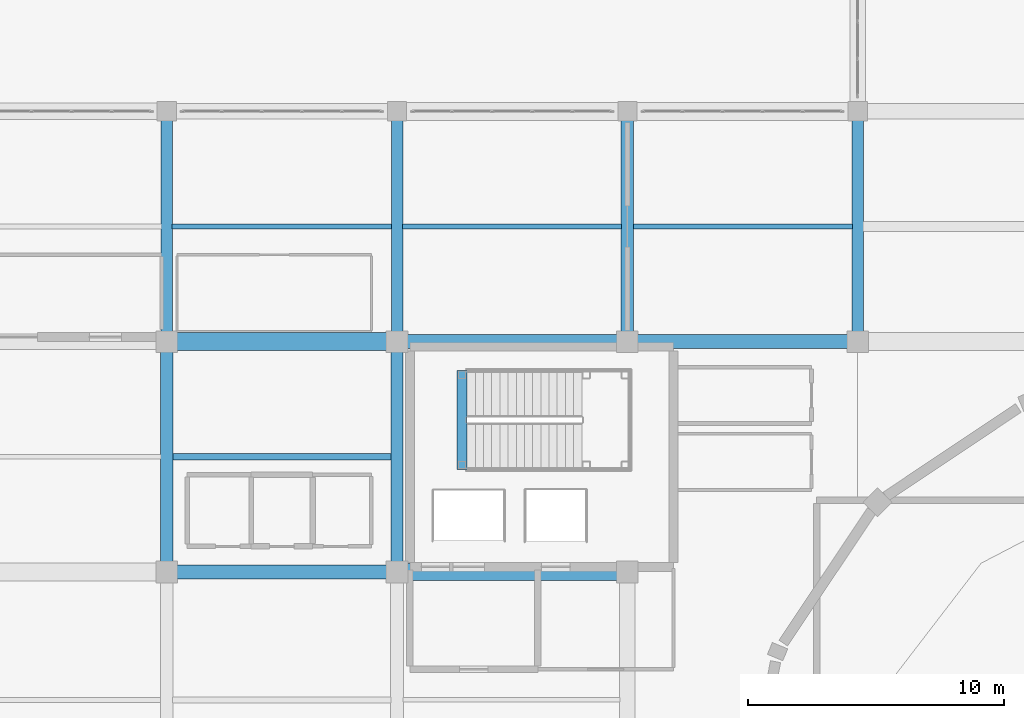
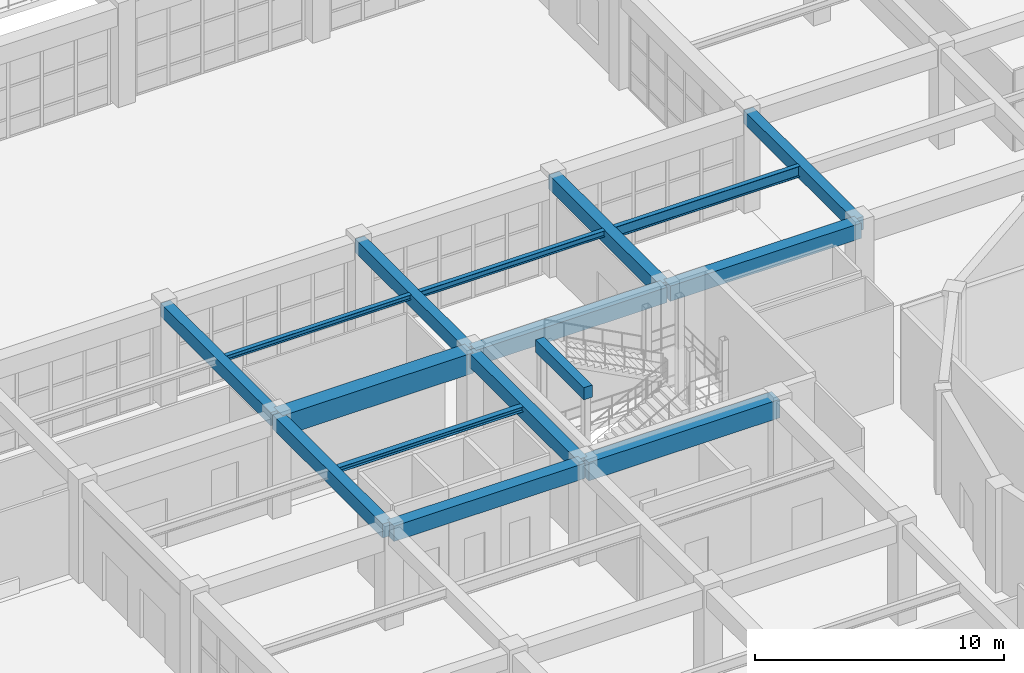
# One storey, part 55 of 128: 16 beams.
"""IFC4 building model written with IfcOpenShell, lengths in metres."""

import ifcopenshell
import ifcopenshell.guid

model = None  # the IFC model being written
_history = None  # IfcOwnerHistory: only IFC2X3 demands one
_inside = {}  # id of a spatial element -> (the spatial element, [elements in it])
_under = {}  # id of a project, library or spatial element -> (it, [spatial elements below it])
_declared = {}  # id of a project -> (the project, [libraries it declares])
_typed = {}  # id of a type object -> (the type object, [elements of that type])
_made_of = {}  # id of a material, layer set ... -> (it, [elements and type objects made of it])


def new_model(schema):
    """Start an empty IFC model of exactly this schema.

    Asked for "IFC4X3", IfcOpenShell would pick the latest addendum, in which some entities
    have other attributes; the version numbers below select the first issue.
    IFC2X3 requires an IfcOwnerHistory on every rooted entity: one is made here for all.
    """
    global model, _history
    if schema == "IFC4X3":
        model = ifcopenshell.file(schema_version=(4, 3, 0, 0))
    else:
        model = ifcopenshell.file(schema=schema)
    _inside.clear()
    _under.clear()
    _declared.clear()
    _typed.clear()
    _made_of.clear()
    _history = None
    if model.schema == "IFC2X3":
        org = make("IfcOrganization", Name="unknown")
        user = make(
            "IfcPersonAndOrganization",
            ThePerson=make("IfcPerson", FamilyName="unknown"),
            TheOrganization=org,
        )
        app = make(
            "IfcApplication",
            ApplicationDeveloper=org,
            Version="unknown",
            ApplicationFullName="unknown",
            ApplicationIdentifier="unknown",
        )
        _history = make(
            "IfcOwnerHistory",
            OwningUser=user,
            OwningApplication=app,
            ChangeAction="ADDED",
            CreationDate=0,
        )
    return model


def make(cls, **values):
    """One entity of the class cls with the attributes given. An attribute that is None is left unset."""
    return model.create_entity(
        cls, **{name: value for name, value in values.items() if value is not None}
    )


def rooted(cls, **values):
    """An entity with a GlobalId (a new one), such as an element, a storey or a relation."""
    return make(cls, GlobalId=ifcopenshell.guid.new(), OwnerHistory=_history, **values)


def si_unit(unit_type, name, prefix=None):
    """IfcSIUnit, for example si_unit("LENGTHUNIT", "METRE", prefix="MILLI")."""
    return make("IfcSIUnit", UnitType=unit_type, Prefix=prefix, Name=name)


def assignment(units):
    """IfcUnitAssignment: the units of a project."""
    return None if units is None else make("IfcUnitAssignment", Units=units)


def point(xyz):
    """IfcCartesianPoint."""
    return None if xyz is None else make("IfcCartesianPoint", Coordinates=xyz)


def direction(xyz):
    """IfcDirection."""
    return None if xyz is None else make("IfcDirection", DirectionRatios=xyz)


def frame(location, z_axis=None, x_axis=None):
    """IfcAxis2Placement3D, a coordinate frame: its origin and axes. An axis left out is left unset."""
    return make(
        "IfcAxis2Placement3D",
        Location=point(location),
        Axis=direction(z_axis),
        RefDirection=direction(x_axis),
    )


def frame_2d(location, x_axis=None):
    """IfcAxis2Placement2D, a coordinate frame in the plane: its origin and x axis."""
    return make(
        "IfcAxis2Placement2D", Location=point(location), RefDirection=direction(x_axis)
    )


def origin():
    """The frame at (0, 0, 0) with its axes left unset."""
    return frame((0.0, 0.0, 0.0))


def origin_2d():
    """The frame at (0, 0) in the plane with its x axis left unset."""
    return frame_2d((0.0, 0.0))


def place(relative_to, where):
    """IfcLocalPlacement: puts the frame where relative to a parent placement (None: the world)."""
    return make(
        "IfcLocalPlacement", PlacementRelTo=relative_to, RelativePlacement=where
    )


def context(
    kind, dimensions, precision=None, world=None, true_north=None, identifier=None
):
    """IfcGeometricRepresentationContext, for example the 3D "Model" context."""
    return make(
        "IfcGeometricRepresentationContext",
        ContextIdentifier=identifier,
        ContextType=kind,
        CoordinateSpaceDimension=dimensions,
        Precision=precision,
        WorldCoordinateSystem=world,
        TrueNorth=true_north,
    )


def subcontext(parent, identifier, kind, view, scale=None):
    """IfcGeometricRepresentationSubContext, for example "Body" below "Model"."""
    return make(
        "IfcGeometricRepresentationSubContext",
        ContextIdentifier=identifier,
        ContextType=kind,
        ParentContext=parent,
        TargetScale=scale,
        TargetView=view,
    )


def project(units=None, contexts=None):
    """IfcProject with its units and contexts."""
    return rooted(
        "IfcProject",
        Name="project",
        RepresentationContexts=contexts,
        UnitsInContext=assignment(units),
    )


def spatial(cls, under=None, at=None, **own):
    """A site, building, storey or space (cls), placed at a placement, below another one or the project."""
    s = rooted(cls, ObjectPlacement=at, **own)
    if under is not None:
        _under.setdefault(under.id(), (under, []))[1].append(s)
    return s


def profile(cls, at=None, kind="AREA", **sizes):
    """A parametric profile (cls). Its sizes go by their IFC names, for example OverallWidth=200.0."""
    return make(cls, ProfileType=kind, Position=at, **sizes)


def rectangle(**sizes):
    """IfcRectangleProfileDef."""
    return profile("IfcRectangleProfileDef", **sizes)


def i_section(**sizes):
    """IfcIShapeProfileDef."""
    return profile("IfcIShapeProfileDef", **sizes)


def extrude(swept, where, along, depth):
    """IfcExtrudedAreaSolid: the profile swept, set in the frame where, extruded along a direction by depth."""
    return make(
        "IfcExtrudedAreaSolid",
        SweptArea=swept,
        Position=where,
        ExtrudedDirection=direction(along),
        Depth=depth,
    )


def shape(context_of_items, identifier, shape_type, items):
    """IfcShapeRepresentation: the items that make up one representation, for example the "Body"."""
    return make(
        "IfcShapeRepresentation",
        ContextOfItems=context_of_items,
        RepresentationIdentifier=identifier,
        RepresentationType=shape_type,
        Items=items,
    )


def material(Name=None, Category=None):
    """IfcMaterial."""
    return make("IfcMaterial", Name=Name, Category=Category)


def material_profile(
    of_material, cross_section, Name=None, Category=None, Priority=None
):
    """IfcMaterialProfile: a cross section and its material."""
    return make(
        "IfcMaterialProfile",
        Name=Name,
        Material=of_material,
        Profile=cross_section,
        Priority=Priority,
        Category=Category,
    )


def profile_set(profiles, Name=None, composite=None):
    """IfcMaterialProfileSet."""
    return make(
        "IfcMaterialProfileSet",
        Name=Name,
        MaterialProfiles=profiles,
        CompositeProfile=composite,
    )


def made_of(thing, what):
    """Note that an element or type object is made of a material, layer set ...; save() writes the relation."""
    if what is not None:
        _made_of.setdefault(what.id(), (what, []))[1].append(thing)
    return thing


def type_object(cls, material=None, **own):
    """A type object (cls), such as IfcWallType, which elements share."""
    return made_of(rooted(cls, **own), material)


def element(
    cls,
    number,
    at=None,
    inside=None,
    cuts=None,
    type_object=None,
    material=None,
    context=None,
    identifier="Body",
    shape_type=None,
    held_by="IfcProductDefinitionShape",
    body=None,
    shapes=None,
    **own,
):
    """One element of the class cls, such as IfcWall. Its Tag is "e" and its number.

    at: its placement. inside: the storey or other place that contains it. cuts: it is an
    opening in that element (IfcRelVoidsElement). A single representation is given by context,
    identifier, shape_type and body (its items); several are given by shapes. held_by: the class
    of the entity that holds the representations. save() writes the other relations.
    """
    e = rooted(cls, Tag="e%d" % number, ObjectPlacement=at, **own)
    if body is not None:
        shapes = [shape(context, identifier, shape_type, body)]
    if shapes is not None:
        e.Representation = make(held_by, Representations=shapes)
    if inside is not None:
        _inside.setdefault(inside.id(), (inside, []))[1].append(e)
    if cuts is not None:
        rooted(
            "IfcRelVoidsElement", RelatingBuildingElement=cuts, RelatedOpeningElement=e
        )
    if type_object is not None:
        _typed.setdefault(type_object.id(), (type_object, []))[1].append(e)
    return made_of(e, material)


def aggregate(whole, parts):
    """IfcRelAggregates: a whole, such as a stair, and the parts it consists of."""
    return rooted("IfcRelAggregates", RelatingObject=whole, RelatedObjects=parts)


def save(model, path):
    """Write the relations noted so far, then the file.

    IfcRelAggregates (storeys below a building ...), IfcRelContainedInSpatialStructure (elements
    in a storey), IfcRelDefinesByType, IfcRelAssociatesMaterial and IfcRelDeclares: one each for
    every whole, place, type object, material and project.
    """
    for whole, parts in _under.values():
        aggregate(whole, parts)
    for where, things in _inside.values():
        rooted(
            "IfcRelContainedInSpatialStructure",
            RelatedElements=things,
            RelatingStructure=where,
        )
    for kind, things in _typed.values():
        rooted("IfcRelDefinesByType", RelatedObjects=things, RelatingType=kind)
    for what, things in _made_of.values():
        rooted("IfcRelAssociatesMaterial", RelatedObjects=things, RelatingMaterial=what)
    for by, libraries in _declared.values():
        rooted("IfcRelDeclares", RelatingContext=by, RelatedDefinitions=libraries)
    model.write(path)


model = new_model("IFC4")

# Units and contexts
model_context = context("Model", 3, precision=1e-05, world=origin(), true_north=direction((0.0, 1.0)))
body_context = subcontext(model_context, "Body", "Model", "MODEL_VIEW")
ifc_project = project(units=[si_unit("LENGTHUNIT", "METRE"), si_unit("AREAUNIT", "SQUARE_METRE"), si_unit("VOLUMEUNIT", "CUBIC_METRE"), si_unit("PLANEANGLEUNIT", "RADIAN"), si_unit("MASSUNIT", "GRAM", prefix="KILO")], contexts=[model_context])

# Site, building, storey
site_placement = place(None, origin())
site = spatial("IfcSite", under=ifc_project, at=site_placement, CompositionType="ELEMENT")
building_placement = place(site_placement, origin())
building = spatial("IfcBuilding", under=site, at=building_placement, Name="Miravela Opera House", CompositionType="ELEMENT")
storey_placement = place(building_placement, origin())
storey = spatial("IfcBuildingStorey", under=building, at=storey_placement, Name="L00", CompositionType="ELEMENT", Elevation=0.0)

# Beams
ifc_material_1 = material(Name="Concrete C35/45", Category="concrete")
ifc_material_profile_1 = material_profile(ifc_material_1, rectangle(XDim=0.39990234375, YDim=0.60009765625, at=origin_2d()), Name="RC-BM-400X600")
ifc_profile_set_1 = profile_set([ifc_material_profile_1])
beam_type_1 = type_object("IfcBeamType", Name="STR-BM-RC400X600", PredefinedType="JOIST", material=ifc_profile_set_1)
beam_1_placement = place(storey_placement, frame((47.5400390625, 70.0, 4.800048828125), z_axis=(0.0, 1.0, 0.0), x_axis=(-1.0, 0.0, 0.0)))
element("IfcBeam", 1, at=beam_1_placement, inside=storey, type_object=beam_type_1, Name="Stair K1 Opening Header Trimmer Beam 01", PredefinedType="JOIST", context=body_context, shape_type="SweptSolid", body=[
    extrude(rectangle(XDim=0.39990234375, YDim=0.60009765625, at=origin_2d()), origin(), (0.0, 0.0, 1.0), 3.8798828125),
])
ifc_material_profile_2 = material_profile(ifc_material_1, rectangle(XDim=0.449951171875, YDim=0.64990234375, at=origin_2d()), Name="RC-BM-450X650")
ifc_profile_set_2 = profile_set([ifc_material_profile_2])
beam_type_2 = type_object("IfcBeamType", Name="STR-BM-RC450X650", PredefinedType="BEAM", material=ifc_profile_set_2)
for number, where, z_axis, x_axis, name in (
    (2, (36.0, 75.080078125, 4.52490234375), (0.0, 1.0, 0.0), (-1.0, 0.0, 0.0), "Floor Girder L00 5/I-J"),
    (3, (45.0, 75.080078125, 4.52490234375), (0.0, 1.0, 0.0), (-1.0, 0.0, 0.0), "Floor Girder L00 6/I-J"),
    (4, (63.0, 75.080078125, 4.52490234375), (0.0, 1.0, 0.0), (-1.0, 0.0, 0.0), "Floor Girder L00 8/I-J"),
):
    element("IfcBeam", number, at=place(storey_placement, frame(where, z_axis=z_axis, x_axis=x_axis)), inside=storey, type_object=beam_type_2, Name=name, PredefinedType="BEAM", context=body_context, shape_type="SweptSolid", body=[
        extrude(rectangle(XDim=0.449951171875, YDim=0.64990234375, at=origin_2d()), origin(), (0.0, 0.0, 1.0), 8.83984375),
    ])
ifc_material_profile_3 = material_profile(ifc_material_1, rectangle(XDim=0.47998046875, YDim=0.679931640625, at=origin_2d()), Name="RC-BM-480X680")
ifc_profile_set_3 = profile_set([ifc_material_profile_3])
beam_type_3 = type_object("IfcBeamType", Name="STR-BM-RC480X680", PredefinedType="BEAM", material=ifc_profile_set_3)
for number, where, z_axis, x_axis, name in (
    (5, (36.0, 66.080078125, 4.510009765625), (0.0, 1.0, 0.0), (-1.0, 0.0, 0.0), "Floor Girder L00 5/H-I"),
    (6, (45.0, 66.080078125, 4.510009765625), (0.0, 1.0, 0.0), (-1.0, 0.0, 0.0), "Floor Girder L00 6/H-I"),
):
    element("IfcBeam", number, at=place(storey_placement, frame(where, z_axis=z_axis, x_axis=x_axis)), inside=storey, type_object=beam_type_3, Name=name, PredefinedType="BEAM", context=body_context, shape_type="SweptSolid", body=[
        extrude(rectangle(XDim=0.47998046875, YDim=0.679931640625, at=origin_2d()), origin(), (0.0, 0.0, 1.0), 8.83984375),
    ])
ifc_material_profile_4 = material_profile(ifc_material_1, rectangle(XDim=0.5, YDim=0.699951171875, at=origin_2d()), Name="RC-BM-500X700")
ifc_profile_set_4 = profile_set([ifc_material_profile_4])
beam_type_4 = type_object("IfcBeamType", Name="STR-BM-RC500X700", PredefinedType="BEAM", material=ifc_profile_set_4)
beam_2_placement = place(storey_placement, frame((54.0, 75.080078125, 4.5), z_axis=(0.0, 1.0, 0.0), x_axis=(-1.0, 0.0, 0.0)))
element("IfcBeam", 7, at=beam_2_placement, inside=storey, type_object=beam_type_4, Name="Floor Girder L00 7/I-J", PredefinedType="BEAM", context=body_context, shape_type="SweptSolid", body=[
    extrude(rectangle(XDim=0.5, YDim=0.699951171875, at=origin_2d()), origin(), (0.0, 0.0, 1.0), 8.83984375),
])
ifc_material_profile_5 = material_profile(ifc_material_1, rectangle(XDim=0.550048828125, YDim=0.75, at=origin_2d()), Name="RC-BM-550X750")
ifc_profile_set_5 = profile_set([ifc_material_profile_5])
beam_type_5 = type_object("IfcBeamType", Name="STR-BM-RC550X750", PredefinedType="BEAM", material=ifc_profile_set_5)
for number, where, z_axis, x_axis, name in (
    (8, (36.080078125, 66.0, 4.47509765625), (1.0, 0.0, 0.0), (0.0, 1.0, 0.0), "Floor Girder L00 5-6/H"),
    (9, (45.080078125, 75.0, 4.47509765625), (1.0, 0.0, 0.0), (0.0, 1.0, 0.0), "Floor Girder L00 6-7/I"),
    (10, (54.080078125, 75.0, 4.47509765625), (1.0, 0.0, 0.0), (0.0, 1.0, 0.0), "Floor Girder L00 7-8/I"),
):
    element("IfcBeam", number, at=place(storey_placement, frame(where, z_axis=z_axis, x_axis=x_axis)), inside=storey, type_object=beam_type_5, Name=name, PredefinedType="BEAM", context=body_context, shape_type="SweptSolid", body=[
        extrude(rectangle(XDim=0.550048828125, YDim=0.75, at=origin_2d()), origin(), (0.0, 0.0, 1.0), 8.83984375),
    ])
ifc_material_2 = material(Name="Concrete C40/50", Category="concrete")
ifc_material_profile_6 = material_profile(ifc_material_2, rectangle(XDim=0.64990234375, YDim=0.89990234375, at=origin_2d()), Name="RC-BM-650X900")
ifc_profile_set_6 = profile_set([ifc_material_profile_6])
beam_type_6 = type_object("IfcBeamType", Name="STR-BM-RC650X900", PredefinedType="BEAM", material=ifc_profile_set_6)
beam_3_placement = place(storey_placement, frame((45.080078125, 66.0, 4.39990234375), z_axis=(1.0, 0.0, 0.0), x_axis=(0.0, 1.0, 0.0)))
element("IfcBeam", 11, at=beam_3_placement, inside=storey, type_object=beam_type_6, Name="Floor Girder L00 6-7/H", PredefinedType="BEAM", context=body_context, shape_type="SweptSolid", body=[
    extrude(rectangle(XDim=0.64990234375, YDim=0.89990234375, at=origin_2d()), origin(), (0.0, 0.0, 1.0), 8.83984375),
])
ifc_material_profile_7 = material_profile(ifc_material_2, rectangle(XDim=0.699951171875, YDim=1.0, at=origin_2d()), Name="RC-BM-700X1000")
ifc_profile_set_7 = profile_set([ifc_material_profile_7])
beam_type_7 = type_object("IfcBeamType", Name="STR-BM-RC700X1000", PredefinedType="BEAM", material=ifc_profile_set_7)
beam_4_placement = place(storey_placement, frame((36.080078125, 75.0, 4.35009765625), z_axis=(1.0, 0.0, 0.0), x_axis=(0.0, 1.0, 0.0)))
element("IfcBeam", 12, at=beam_4_placement, inside=storey, type_object=beam_type_7, Name="Floor Girder L00 5-6/I", PredefinedType="BEAM", context=body_context, shape_type="SweptSolid", body=[
    extrude(rectangle(XDim=0.699951171875, YDim=1.0, at=origin_2d()), origin(), (0.0, 0.0, 1.0), 8.83984375),
])
ifc_material_3 = material(Name="Structural steel ASTM A992 Gr. 50", Category="steel")
ifc_material_profile_8 = material_profile(ifc_material_3, i_section(OverallWidth=0.201904296875, OverallDepth=0.2470703125, WebThickness=0.00732421875, FlangeThickness=0.010986328125, FilletRadius=0.011962890625, at=origin_2d()), Name="W250X49")
ifc_profile_set_8 = profile_set([ifc_material_profile_8])
beam_type_8 = type_object("IfcBeamType", Name="STR-BM-W250X49", PredefinedType="LINTEL", material=ifc_profile_set_8)
beam_5_placement = place(storey_placement, frame((36.2099609375, 79.5, 4.7265625), z_axis=(1.0, 0.0, 0.0), x_axis=(0.0, 1.0, 0.0)))
element("IfcBeam", 13, at=beam_5_placement, inside=storey, type_object=beam_type_8, Name="Secondary Floor Joist L00 5-6/I-J", PredefinedType="LINTEL", context=body_context, shape_type="SweptSolid", body=[
    extrude(i_section(OverallWidth=0.201904296875, OverallDepth=0.2470703125, WebThickness=0.00732421875, FlangeThickness=0.010986328125, FilletRadius=0.011962890625, at=origin_2d()), origin(), (0.0, 0.0, 1.0), 8.580078125),
])
ifc_material_profile_9 = material_profile(ifc_material_3, i_section(OverallWidth=0.25390625, OverallDepth=0.2529296875, WebThickness=0.008544921875, FlangeThickness=0.01416015625, FilletRadius=0.011962890625, at=origin_2d()), Name="W250X73")
ifc_profile_set_9 = profile_set([ifc_material_profile_9])
beam_type_9 = type_object("IfcBeamType", Name="STR-BM-W250X73", PredefinedType="JOIST", material=ifc_profile_set_9)
beam_6_placement = place(storey_placement, frame((36.22509765625, 70.5, 4.723388671875), z_axis=(1.0, 0.0, 0.0), x_axis=(0.0, 1.0, 0.0)))
element("IfcBeam", 14, at=beam_6_placement, inside=storey, type_object=beam_type_9, Name="Secondary Floor Joist L00 5-6/H-I", PredefinedType="JOIST", context=body_context, shape_type="SweptSolid", body=[
    extrude(i_section(OverallWidth=0.25390625, OverallDepth=0.2529296875, WebThickness=0.008544921875, FlangeThickness=0.01416015625, FilletRadius=0.011962890625, at=origin_2d()), origin(), (0.0, 0.0, 1.0), 8.5498046875),
])
ifc_material_profile_10 = material_profile(ifc_material_3, i_section(OverallWidth=0.202880859375, OverallDepth=0.302978515625, WebThickness=0.007568359375, FlangeThickness=0.01318359375, FilletRadius=0.012939453125, at=origin_2d()), Name="W310X60")
ifc_profile_set_10 = profile_set([ifc_material_profile_10])
beam_type_10 = type_object("IfcBeamType", Name="STR-BM-W310X60", PredefinedType="JOIST", material=ifc_profile_set_10)
beam_7_placement = place(storey_placement, frame((45.2099609375, 79.5, 4.698486328125), z_axis=(1.0, 0.0, 0.0), x_axis=(0.0, 1.0, 0.0)))
element("IfcBeam", 15, at=beam_7_placement, inside=storey, type_object=beam_type_10, Name="Secondary Floor Joist L00 6-7/I-J", PredefinedType="JOIST", context=body_context, shape_type="SweptSolid", body=[
    extrude(i_section(OverallWidth=0.202880859375, OverallDepth=0.302978515625, WebThickness=0.007568359375, FlangeThickness=0.01318359375, FilletRadius=0.012939453125, at=origin_2d()), origin(), (0.0, 0.0, 1.0), 8.554931640625),
])
ifc_material_profile_11 = material_profile(ifc_material_3, i_section(OverallWidth=0.208984375, OverallDepth=0.532958984375, WebThickness=0.01025390625, FlangeThickness=0.015625, FilletRadius=0.014892578125, at=origin_2d()), Name="W530X92")
ifc_profile_set_11 = profile_set([ifc_material_profile_11])
beam_type_11 = type_object("IfcBeamType", Name="STR-BM-W530X92", PredefinedType="BEAM", material=ifc_profile_set_11)
beam_8_placement = place(storey_placement, frame((54.235107421875, 79.5, 4.58349609375), z_axis=(1.0, 0.0, 0.0), x_axis=(0.0, 1.0, 0.0)))
element("IfcBeam", 16, at=beam_8_placement, inside=storey, type_object=beam_type_11, Name="Secondary Floor Joist L00 7-8/I-J", PredefinedType="BEAM", context=body_context, shape_type="SweptSolid", body=[
    extrude(i_section(OverallWidth=0.208984375, OverallDepth=0.532958984375, WebThickness=0.01025390625, FlangeThickness=0.015625, FilletRadius=0.014892578125, at=origin_2d()), origin(), (0.0, 0.0, 1.0), 8.554931640625),
])

save(model, "model.ifc")
